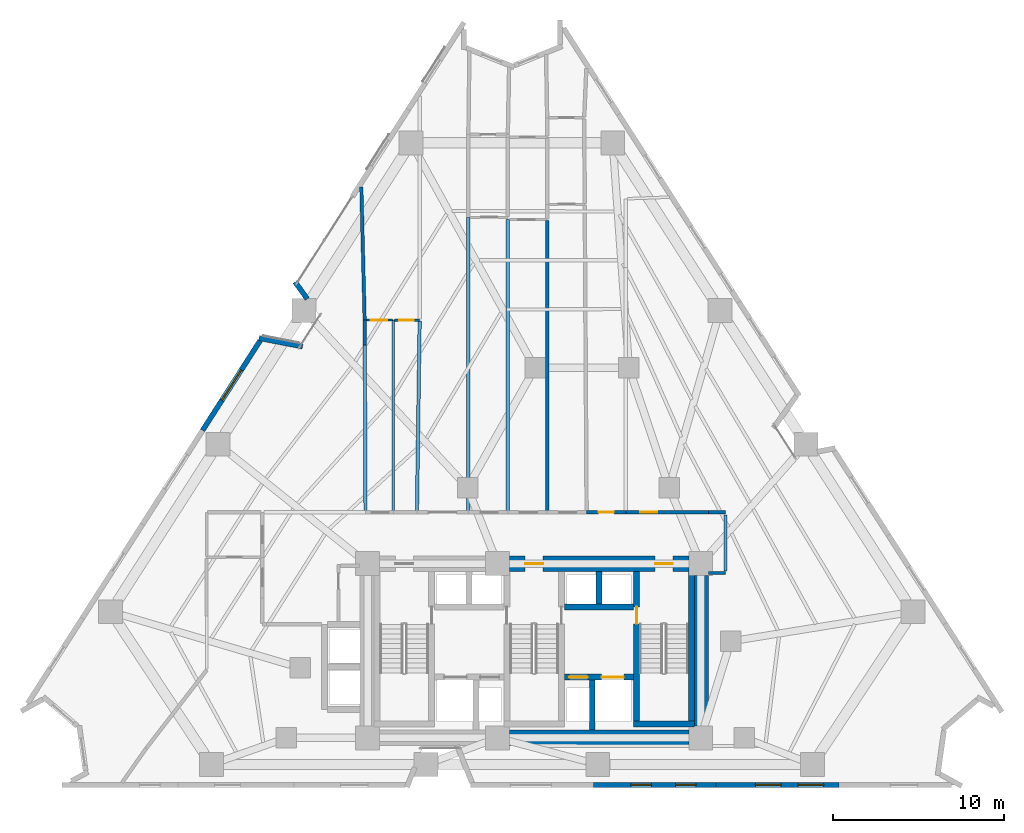
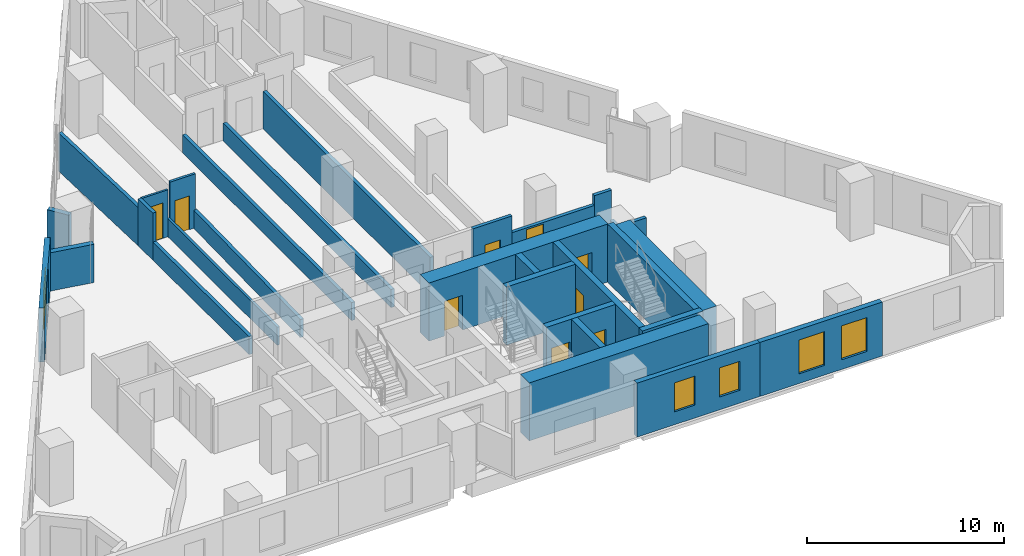
# One storey, part 9 of 13: 30 walls, 9 doors, 5 windows, 14 openings.
"""IFC4 building model written with IfcOpenShell, lengths in metres."""

from ifc_helpers import new_model, si_unit, direction, frame, frame_2d, origin, place, context, subcontext, project, spatial, rectangle, extrude, material, layer, layer_set, type_object, element, fill, save


model = new_model("IFC4")

# Units and contexts
model_context = context("Model", 3, precision=1e-05, world=origin(), true_north=direction((0.0, 1.0)))
body_context = subcontext(model_context, "Body", "Model", "MODEL_VIEW")
ifc_project = project(units=[si_unit("LENGTHUNIT", "METRE"), si_unit("AREAUNIT", "SQUARE_METRE"), si_unit("VOLUMEUNIT", "CUBIC_METRE"), si_unit("PLANEANGLEUNIT", "RADIAN"), si_unit("MASSUNIT", "GRAM", prefix="KILO")], contexts=[model_context])

# Site, building, storey
site_placement = place(None, origin())
site = spatial("IfcSite", under=ifc_project, at=site_placement, CompositionType="ELEMENT")
building_placement = place(site_placement, origin())
building = spatial("IfcBuilding", under=site, at=building_placement, Name="Almagre Mirador Tower", CompositionType="ELEMENT")
storey_placement = place(building_placement, frame((0.0, 0.0, 49.800048828125)))
storey = spatial("IfcBuildingStorey", under=building, at=storey_placement, Name="L11", CompositionType="ELEMENT", Elevation=49.800048828125)

# Walls
ifc_material_1 = material(Name="Precast concrete C50/60", Category="concrete")
ifc_layer_1 = layer(ifc_material_1, 0.300048828125)
ifc_layer_set_1 = layer_set([ifc_layer_1], Name="Precast concrete C50/60")
wall_type_1 = type_object("IfcWallType", Name="WAL-EXT-300", PredefinedType="SOLIDWALL", material=ifc_layer_set_1)
wall_1_placement = place(storey_placement, frame((21.20068359375, 27.946533203125, 0.0), z_axis=(0.0, 0.0, 1.0), x_axis=(0.981746971615, -0.190191702567, 0.0)))
element("IfcWall", 1, at=wall_1_placement, inside=storey, type_object=wall_type_1, Name="L11 expressed almagre precast frame wall 01", PredefinedType="SOLIDWALL", context=body_context, shape_type="SweptSolid", body=[
    extrude(rectangle(XDim=2.593017578125, YDim=0.300048828125, at=frame_2d((1.29638671875, 0.0))), origin(), (0.0, 0.0, 1.0), 2.375),
])
wall_2_placement = place(storey_placement, frame((24.022216796875, 30.235107421875, 0.0), z_axis=(0.0, 0.0, 1.0), x_axis=(-0.583004903736, 0.812468634607, 0.0)))
element("IfcWall", 2, at=wall_2_placement, inside=storey, type_object=wall_type_1, Name="L11 expressed almagre precast frame wall 02", PredefinedType="SOLIDWALL", context=body_context, shape_type="SweptSolid", body=[
    extrude(rectangle(XDim=1.227783203125, YDim=0.300048828125, at=frame_2d((0.61376953125, 0.0))), origin(), (0.0, 0.0, 1.0), 2.375),
])

# Wall, openings, windows
wall_3_placement = place(storey_placement, frame((55.14697265625, 1.800048828125, 0.0), z_axis=(0.0, 0.0, 1.0), x_axis=(-1.0, 0.0, 0.0)))
wall_3 = element("IfcWall", 3, at=wall_3_placement, inside=storey, type_object=wall_type_1, Name="L11 expressed almagre precast frame wall 23", PredefinedType="SOLIDWALL", context=body_context, shape_type="SweptSolid", body=[
    extrude(rectangle(XDim=7.19287109375, YDim=0.300048828125, at=frame_2d((3.596435546875, 0.0))), origin(), (0.0, 0.0, 1.0), 3.349853515625),
])
opening_1_placement = place(wall_3_placement, frame((3.39990234375, 0.0, 0.60009765625)))
opening_1 = element("IfcOpeningElement", 4, at=opening_1_placement, cuts=wall_3, Name="Opening WN-03", PredefinedType="OPENING", context=body_context, shape_type="SweptSolid", body=[
    extrude(rectangle(XDim=1.5, YDim=2.10009765625, at=frame_2d((0.75, 1.050048828125))), frame((0.0, 0.159902, 0.0), z_axis=(0.0, -1.0, 0.0), x_axis=(1.0, 0.0, 0.0)), (0.0, 0.0, 1.0), 0.320049),
])
opening_2_placement = place(wall_3_placement, frame((0.89990234375, 0.0, 0.60009765625)))
opening_2 = element("IfcOpeningElement", 5, at=opening_2_placement, cuts=wall_3, Name="Opening WN-03", PredefinedType="OPENING", context=body_context, shape_type="SweptSolid", body=[
    extrude(rectangle(XDim=1.5, YDim=2.10009765625, at=frame_2d((0.75, 1.050048828125))), frame((0.0, 0.159902, 0.0), z_axis=(0.0, -1.0, 0.0), x_axis=(1.0, 0.0, 0.0)), (0.0, 0.0, 1.0), 0.320049),
])
ifc_material_2 = material(Name="Dark solar-control laminated hurricane glass", Category="glass")
window_type_1 = type_object("IfcWindowType", Name="WIN-1500X2100", PartitioningType="DOUBLE_PANEL_VERTICAL", PredefinedType="WINDOW", material=ifc_material_2)
window_1_placement = place(opening_1_placement, origin())
window_1 = element("IfcWindow", 6, at=window_1_placement, inside=storey, type_object=window_type_1, Name="L11 recessed hurricane window L11-UD-KT", OverallHeight=2.10009765625, OverallWidth=1.5, PartitioningType="SINGLE_PANEL", PredefinedType="WINDOW", context=body_context, shape_type="SweptSolid", body=[
    extrude(rectangle(XDim=1.5, YDim=2.10009765625, at=frame_2d((0.75, 1.050048828125))), frame((0.0, 0.030029296875, 0.0), z_axis=(0.0, -1.0, 0.0), x_axis=(1.0, 0.0, 0.0)), (0.0, 0.0, 1.0), 0.06005859375),
])
fill(opening_1, window_1)
window_2_placement = place(opening_2_placement, origin())
window_2 = element("IfcWindow", 7, at=window_2_placement, inside=storey, type_object=window_type_1, Name="L11 recessed hurricane window L11-UE-KT", OverallHeight=2.10009765625, OverallWidth=1.5, PartitioningType="SINGLE_PANEL", PredefinedType="WINDOW", context=body_context, shape_type="SweptSolid", body=[
    extrude(rectangle(XDim=1.5, YDim=2.10009765625, at=frame_2d((0.75, 1.050048828125))), frame((0.0, 0.030029296875, 0.0), z_axis=(0.0, -1.0, 0.0), x_axis=(1.0, 0.0, 0.0)), (0.0, 0.0, 1.0), 0.06005859375),
])
fill(opening_2, window_2)

wall_4_placement = place(storey_placement, frame((47.9541015625, 1.800048828125, 0.0), z_axis=(0.0, 0.0, 1.0), x_axis=(-1.0, 0.0, 0.0)))
wall_4 = element("IfcWall", 8, at=wall_4_placement, inside=storey, type_object=wall_type_1, Name="L11 expressed almagre precast frame wall 24", PredefinedType="SOLIDWALL", context=body_context, shape_type="SweptSolid", body=[
    extrude(rectangle(XDim=7.193115234375, YDim=0.300048828125, at=frame_2d((3.5966796875, 0.0))), origin(), (0.0, 0.0, 1.0), 3.349853515625),
])
opening_3_placement = place(wall_4_placement, frame((3.800048828125, 0.0, 0.800048828125)))
opening_3 = element("IfcOpeningElement", 9, at=opening_3_placement, cuts=wall_4, Name="Opening WN-04", PredefinedType="OPENING", context=body_context, shape_type="SweptSolid", body=[
    extrude(rectangle(XDim=1.199951171875, YDim=1.800048828125, at=frame_2d((0.60009765625, 0.89990234375))), frame((0.0, 0.159902, 0.0), z_axis=(0.0, -1.0, 0.0), x_axis=(1.0, 0.0, 0.0)), (0.0, 0.0, 1.0), 0.320049),
])
opening_4_placement = place(wall_4_placement, frame((1.175048828125, 0.0, 0.800048828125)))
opening_4 = element("IfcOpeningElement", 10, at=opening_4_placement, cuts=wall_4, Name="Opening WN-04", PredefinedType="OPENING", context=body_context, shape_type="SweptSolid", body=[
    extrude(rectangle(XDim=1.199951171875, YDim=1.800048828125, at=frame_2d((0.60009765625, 0.89990234375))), frame((0.0, 0.159902, 0.0), z_axis=(0.0, -1.0, 0.0), x_axis=(1.0, 0.0, 0.0)), (0.0, 0.0, 1.0), 0.320049),
])
ifc_material_3 = material(Name="Dark solar-control laminated hurricane glass", Category="glass")
window_type_2 = type_object("IfcWindowType", Name="WIN-1200X1800", PartitioningType="SINGLE_PANEL", PredefinedType="WINDOW", material=ifc_material_3)
window_3_placement = place(opening_3_placement, origin())
window_3 = element("IfcWindow", 11, at=window_3_placement, inside=storey, type_object=window_type_2, Name="L11 recessed hurricane window L11-UC-KT", OverallHeight=1.800048828125, OverallWidth=1.199951171875, PartitioningType="SINGLE_PANEL", PredefinedType="WINDOW", context=body_context, shape_type="SweptSolid", body=[
    extrude(rectangle(XDim=1.199951171875, YDim=1.800048828125, at=frame_2d((0.60009765625, 0.89990234375))), frame((0.0, 0.030029296875, 0.0), z_axis=(0.0, -1.0, 0.0), x_axis=(1.0, 0.0, 0.0)), (0.0, 0.0, 1.0), 0.06005859375),
])
fill(opening_3, window_3)
window_4_placement = place(opening_4_placement, origin())
window_4 = element("IfcWindow", 12, at=window_4_placement, inside=storey, type_object=window_type_2, Name="L11 recessed hurricane window L11-UC-BT", OverallHeight=1.800048828125, OverallWidth=1.199951171875, PartitioningType="SINGLE_PANEL", PredefinedType="WINDOW", context=body_context, shape_type="SweptSolid", body=[
    extrude(rectangle(XDim=1.199951171875, YDim=1.800048828125, at=frame_2d((0.60009765625, 0.89990234375))), frame((0.0, 0.030029296875, 0.0), z_axis=(0.0, -1.0, 0.0), x_axis=(1.0, 0.0, 0.0)), (0.0, 0.0, 1.0), 0.06005859375),
])
fill(opening_4, window_4)

# Wall, opening, window
wall_5_placement = place(storey_placement, frame((17.892578125, 22.54345703125, 0.0), z_axis=(0.0, 0.0, 1.0), x_axis=(0.539539053693, 0.841960574813, 0.0)))
wall_5 = element("IfcWall", 13, at=wall_5_placement, inside=storey, type_object=wall_type_1, Name="L11 expressed almagre precast frame wall 38", PredefinedType="SOLIDWALL", context=body_context, shape_type="SweptSolid", body=[
    extrude(rectangle(XDim=6.250732421875, YDim=0.300048828125, at=frame_2d((3.12548828125, 0.0))), origin(), (0.0, 0.0, 1.0), 3.349853515625),
])
opening_5_placement = place(wall_5_placement, frame((2.10009765625, 0.0, 0.550048828125)))
opening_5 = element("IfcOpeningElement", 14, at=opening_5_placement, cuts=wall_5, Name="Opening WN-05", PredefinedType="OPENING", context=body_context, shape_type="SweptSolid", body=[
    extrude(rectangle(XDim=2.10009765625, YDim=2.39990234375, at=frame_2d((1.050048828125, 1.199951171875))), frame((0.0, 0.159902, 0.0), z_axis=(0.0, -1.0, 0.0), x_axis=(1.0, 0.0, 0.0)), (0.0, 0.0, 1.0), 0.320049),
])
ifc_material_4 = material(Name="Dark solar-control laminated hurricane glass", Category="glass")
window_type_3 = type_object("IfcWindowType", Name="WIN-2100X2400", PartitioningType="DOUBLE_PANEL_VERTICAL", PredefinedType="WINDOW", material=ifc_material_4)
window_5_placement = place(opening_5_placement, origin())
window_5 = element("IfcWindow", 15, at=window_5_placement, inside=storey, type_object=window_type_3, Name="L11 recessed hurricane window L11-RST-H", OverallHeight=2.39990234375, OverallWidth=2.10009765625, PartitioningType="SINGLE_PANEL", PredefinedType="WINDOW", context=body_context, shape_type="SweptSolid", body=[
    extrude(rectangle(XDim=2.10009765625, YDim=2.39990234375, at=frame_2d((1.050048828125, 1.199951171875))), frame((0.0, 0.030029296875, 0.0), z_axis=(0.0, -1.0, 0.0), x_axis=(1.0, 0.0, 0.0)), (0.0, 0.0, 1.0), 0.06005859375),
])
fill(opening_5, window_5)

# Wall, opening, door
ifc_material_5 = material(Name="Gypsum acoustic stud partition", Category="other")
ifc_layer_2 = layer(ifc_material_5, 0.125)
ifc_layer_set_2 = layer_set([ifc_layer_2], Name="Gypsum acoustic stud partition")
wall_type_2 = type_object("IfcWallType", Name="WAL-PRT-125-UTL", PredefinedType="PARTITIONING", material=ifc_layer_set_2)
wall_6_placement = place(storey_placement, frame((29.0, 29.0, 0.0), z_axis=(0.0, 0.0, 1.0), x_axis=(-1.0, 0.0, 0.0)))
wall_6 = element("IfcWall", 16, at=wall_6_placement, inside=storey, type_object=wall_type_2, Name="L11 interior partition 070", PredefinedType="PARTITIONING", context=body_context, shape_type="SweptSolid", body=[
    extrude(rectangle(XDim=1.534912109375, YDim=0.125, at=frame_2d((0.767578125, 0.0))), origin(), (0.0, 0.0, 1.0), 2.910888671875),
])
opening_6_placement = place(wall_6_placement, frame((0.304931640625, 0.0, 0.0)))
opening_6 = element("IfcOpeningElement", 17, at=opening_6_placement, cuts=wall_6, Name="Opening UD-01", PredefinedType="OPENING", context=body_context, shape_type="SweptSolid", body=[
    extrude(rectangle(XDim=0.949951171875, YDim=2.199951171875, at=frame_2d((0.47509765625, 1.10009765625))), frame((0.0, 0.0725, 0.0), z_axis=(0.0, -1.0, 0.0), x_axis=(1.0, 0.0, 0.0)), (0.0, 0.0, 1.0), 0.145),
])
ifc_material_6 = material(Name="Solid American walnut timber", Category="wood")
door_type_1 = type_object("IfcDoorType", Name="DOR-UNR-950X2200", OperationType="NOTDEFINED", PredefinedType="DOOR", material=ifc_material_6)
door_1_placement = place(opening_6_placement, origin())
door_1 = element("IfcDoor", 18, at=door_1_placement, inside=storey, type_object=door_type_1, Name="DR-0359 L11 interior door L11-UL-ST to L11-UL-KT", OperationType="SINGLE_SWING_RIGHT", OverallHeight=2.199951171875, OverallWidth=0.949951171875, PredefinedType="DOOR", context=body_context, shape_type="SweptSolid", body=[
    extrude(rectangle(XDim=0.949951171875, YDim=2.199951171875, at=frame_2d((0.47509765625, 1.10009765625))), frame((0.0, 0.02490234375, 0.0), z_axis=(0.0, -1.0, 0.0), x_axis=(1.0, 0.0, 0.0)), (0.0, 0.0, 1.0), 0.050048828125),
])
fill(opening_6, door_1)

# Wall
ifc_material_7 = material(Name="Gypsum acoustic stud partition", Category="other")
ifc_layer_3 = layer(ifc_material_7, 0.14990234375)
ifc_layer_set_3 = layer_set([ifc_layer_3], Name="Gypsum acoustic stud partition")
wall_type_3 = type_object("IfcWallType", Name="WAL-PRT-150-STD", PredefinedType="PARTITIONING", material=ifc_layer_set_3)
wall_7_placement = place(storey_placement, frame((29.06005859375, 17.8349609375, 0.0), z_axis=(0.0, 0.0, 1.0), x_axis=(0.0, 1.0, 0.0)))
element("IfcWall", 19, at=wall_7_placement, inside=storey, type_object=wall_type_3, Name="L11 interior partition 069", PredefinedType="PARTITIONING", context=body_context, shape_type="SweptSolid", body=[
    extrude(rectangle(XDim=11.1650390625, YDim=0.14990234375, at=frame_2d((5.58251953125, 0.0))), origin(), (0.0, 0.0, 1.0), 1.119873046875),
])

# Wall, opening, door
wall_8_placement = place(storey_placement, frame((30.60009765625, 29.0, 0.0), z_axis=(0.0, 0.0, 1.0), x_axis=(-1.0, 0.0, 0.0)))
wall_8 = element("IfcWall", 20, at=wall_8_placement, inside=storey, type_object=wall_type_3, Name="L11 interior partition 071", PredefinedType="PARTITIONING", context=body_context, shape_type="SweptSolid", body=[
    extrude(rectangle(XDim=1.47998046875, YDim=0.14990234375, at=frame_2d((0.739990234375, 0.0))), origin(), (0.0, 0.0, 1.0), 3.349853515625),
])
opening_7_placement = place(wall_8_placement, frame((0.344970703125, 0.0, 0.0)))
opening_7 = element("IfcOpeningElement", 21, at=opening_7_placement, cuts=wall_8, Name="Opening UD-04", PredefinedType="OPENING", context=body_context, shape_type="SweptSolid", body=[
    extrude(rectangle(XDim=0.85009765625, YDim=2.10009765625, at=frame_2d((0.425048828125, 1.050048828125))), frame((0.0, 0.084951, 0.0), z_axis=(0.0, -1.0, 0.0), x_axis=(1.0, 0.0, 0.0)), (0.0, 0.0, 1.0), 0.169902),
])
ifc_material_8 = material(Name="Moisture-resistant oak timber", Category="wood")
door_type_2 = type_object("IfcDoorType", Name="DOR-UNR-850X2100", OperationType="NOTDEFINED", PredefinedType="DOOR", material=ifc_material_8)
door_2_placement = place(opening_7_placement, origin())
door_2 = element("IfcDoor", 22, at=door_2_placement, inside=storey, type_object=door_type_2, Name="DR-0360 L11 interior door L11-UL-BT to L11-UL-KT", OperationType="SINGLE_SWING_LEFT", OverallHeight=2.10009765625, OverallWidth=0.85009765625, PredefinedType="DOOR", context=body_context, shape_type="SweptSolid", body=[
    extrude(rectangle(XDim=0.85009765625, YDim=2.10009765625, at=frame_2d((0.425048828125, 1.050048828125))), frame((0.0, 0.02490234375, 0.0), z_axis=(0.0, -1.0, 0.0), x_axis=(1.0, 0.0, 0.0)), (0.0, 0.0, 1.0), 0.050048828125),
])
fill(opening_7, door_2)

# Walls
ifc_material_9 = material(Name="Gypsum acoustic stud partition", Category="other")
ifc_layer_4 = layer(ifc_material_9, 0.199951171875)
ifc_layer_set_4 = layer_set([ifc_layer_4], Name="Gypsum acoustic stud partition")
wall_type_4 = type_object("IfcWallType", Name="WAL-PRT-200-EI60", PredefinedType="PARTITIONING", material=ifc_layer_set_4)
wall_9_placement = place(storey_placement, frame((47.5, 14.199951171875, 0.0), z_axis=(0.0, 0.0, 1.0), x_axis=(1.0, 0.0, 0.0)))
element("IfcWall", 23, at=wall_9_placement, inside=storey, type_object=wall_type_4, Name="L11 interior partition 004", PredefinedType="PARTITIONING", context=body_context, shape_type="SweptSolid", body=[
    extrude(rectangle(XDim=1.0, YDim=0.199951171875, at=frame_2d((0.5, 0.0))), origin(), (0.0, 0.0, 1.0), 3.349853515625),
])
wall_10_placement = place(storey_placement, frame((48.5, 17.75, 0.0), z_axis=(0.0, 0.0, 1.0), x_axis=(-1.0, 0.0, 0.0)))
element("IfcWall", 24, at=wall_10_placement, inside=storey, type_object=wall_type_4, Name="L11 interior partition 010", PredefinedType="PARTITIONING", context=body_context, shape_type="SweptSolid", body=[
    extrude(rectangle(XDim=1.010009765625, YDim=0.199951171875, at=frame_2d((0.5048828125, 0.0))), origin(), (0.0, 0.0, 1.0), 2.910888671875),
])

# Wall, opening, door
wall_11_placement = place(storey_placement, frame((42.669921875, 17.75, 0.0), z_axis=(0.0, 0.0, 1.0), x_axis=(-1.0, 0.0, 0.0)))
wall_11 = element("IfcWall", 25, at=wall_11_placement, inside=storey, type_object=wall_type_4, Name="L11 interior partition 017", PredefinedType="PARTITIONING", context=body_context, shape_type="SweptSolid", body=[
    extrude(rectangle(XDim=2.2998046875, YDim=0.199951171875, at=frame_2d((1.14990234375, 0.0))), origin(), (0.0, 0.0, 1.0), 3.349853515625),
])
opening_8_placement = place(wall_11_placement, frame((0.699951171875, 0.0, 0.0)))
opening_8 = element("IfcOpeningElement", 26, at=opening_8_placement, cuts=wall_11, Name="Opening ID-03", PredefinedType="OPENING", context=body_context, shape_type="SweptSolid", body=[
    extrude(rectangle(XDim=0.89990234375, YDim=2.10009765625, at=frame_2d((0.449951171875, 1.050048828125))), frame((0.0, 0.110098, 0.0), z_axis=(0.0, -1.0, 0.0), x_axis=(1.0, 0.0, 0.0)), (0.0, 0.0, 1.0), 0.219951),
])
ifc_material_10 = material(Name="Fire-rated hollow steel", Category="steel")
door_type_3 = type_object("IfcDoorType", Name="DOR-FD60-900X2100", OperationType="NOTDEFINED", PredefinedType="DOOR", material=ifc_material_10)
door_3_placement = place(opening_8_placement, origin())
door_3 = element("IfcDoor", 27, at=door_3_placement, inside=storey, type_object=door_type_3, Name="DR-0350 L11 interior door L11-RCOR to L11-RST-B", OperationType="SINGLE_SWING_RIGHT", OverallHeight=2.10009765625, OverallWidth=0.89990234375, PredefinedType="DOOR", context=body_context, shape_type="SweptSolid", body=[
    extrude(rectangle(XDim=0.89990234375, YDim=2.10009765625, at=frame_2d((0.449951171875, 1.050048828125))), frame((0.0, 0.02490234375, 0.0), z_axis=(0.0, -1.0, 0.0), x_axis=(1.0, 0.0, 0.0)), (0.0, 0.0, 1.0), 0.050048828125),
])
fill(opening_8, door_3)

wall_12_placement = place(storey_placement, frame((47.489990234375, 17.75, 0.0), z_axis=(0.0, 0.0, 1.0), x_axis=(-1.0, 0.0, 0.0)))
wall_12 = element("IfcWall", 28, at=wall_12_placement, inside=storey, type_object=wall_type_4, Name="L11 interior partition 018", PredefinedType="PARTITIONING", context=body_context, shape_type="SweptSolid", body=[
    extrude(rectangle(XDim=4.820068359375, YDim=0.199951171875, at=frame_2d((2.41015625, 0.0))), origin(), (0.0, 0.0, 1.0), 2.308837890625),
])
opening_9_placement = place(wall_12_placement, frame((2.971923828125, 0.0, 0.0)))
opening_9 = element("IfcOpeningElement", 29, at=opening_9_placement, cuts=wall_12, Name="Opening ID-01", PredefinedType="OPENING", context=body_context, shape_type="SweptSolid", body=[
    extrude(rectangle(XDim=1.0, YDim=2.199951171875, at=frame_2d((0.5, 1.10009765625))), frame((0.0, 0.110098, 0.0), z_axis=(0.0, -1.0, 0.0), x_axis=(1.0, 0.0, 0.0)), (0.0, 0.0, 1.0), 0.219951),
])
ifc_material_11 = material(Name="Fire-rated walnut timber", Category="wood")
door_type_4 = type_object("IfcDoorType", Name="DOR-FD60-1000X2200", OperationType="NOTDEFINED", PredefinedType="DOOR", material=ifc_material_11)
door_4_placement = place(opening_9_placement, origin())
door_4 = element("IfcDoor", 30, at=door_4_placement, inside=storey, type_object=door_type_4, Name="DR-0355 L11 interior door L11-RCOR to L11-UC-ST-2", OperationType="SINGLE_SWING_LEFT", OverallHeight=2.199951171875, OverallWidth=1.0, PredefinedType="DOOR", context=body_context, shape_type="SweptSolid", body=[
    extrude(rectangle(XDim=1.0, YDim=2.199951171875, at=frame_2d((0.5, 1.10009765625))), frame((0.0, 0.02490234375, 0.0), z_axis=(0.0, -1.0, 0.0), x_axis=(1.0, 0.0, 0.0)), (0.0, 0.0, 1.0), 0.050048828125),
])
fill(opening_9, door_4)

# Walls
wall_13_placement = place(storey_placement, frame((27.4296875, 17.8349609375, 0.0), z_axis=(0.0, 0.0, 1.0), x_axis=(-0.004104621563, 0.999991576005, 0.0)))
element("IfcWall", 31, at=wall_13_placement, inside=storey, type_object=wall_type_4, Name="L11 interior partition 059", PredefinedType="PARTITIONING", context=body_context, shape_type="SweptSolid", body=[
    extrude(rectangle(XDim=9.695068359375, YDim=0.199951171875, at=frame_2d((4.84765625, 0.0))), origin(), (0.0, 0.0, 1.0), 1.119873046875),
])
wall_14_placement = place(storey_placement, frame((27.389892578125, 27.530029296875, 0.0), z_axis=(0.0, 0.0, 1.0), x_axis=(-0.006809342213, 0.999976816161, 0.0)))
element("IfcWall", 32, at=wall_14_placement, inside=storey, type_object=wall_type_4, Name="L11 interior partition 067", PredefinedType="PARTITIONING", context=body_context, shape_type="SweptSolid", body=[
    extrude(rectangle(XDim=1.469970703125, YDim=0.199951171875, at=frame_2d((0.73486328125, 0.0))), origin(), (0.0, 0.0, 1.0), 2.910888671875),
])
wall_15_placement = place(storey_placement, frame((27.3798828125, 29.0, 0.0), z_axis=(0.0, 0.0, 1.0), x_axis=(-0.024786030679, 0.999692779149, 0.0)))
element("IfcWall", 33, at=wall_15_placement, inside=storey, type_object=wall_type_4, Name="L11 interior partition 068", PredefinedType="PARTITIONING", context=body_context, shape_type="SweptSolid", body=[
    extrude(rectangle(XDim=7.781494140625, YDim=0.199951171875, at=frame_2d((3.890625, 0.0))), origin(), (0.0, 0.0, 1.0), 2.369873046875),
])
wall_16_placement = place(storey_placement, frame((30.441162109375, 17.8349609375, 0.0), z_axis=(0.0, 0.0, 1.0), x_axis=(0.014222718139, 0.999898852029, 0.0)))
element("IfcWall", 34, at=wall_16_placement, inside=storey, type_object=wall_type_4, Name="L11 interior partition 072", PredefinedType="PARTITIONING", context=body_context, shape_type="SweptSolid", body=[
    extrude(rectangle(XDim=11.106201171875, YDim=0.199951171875, at=frame_2d((5.55322265625, 0.0))), origin(), (0.0, 0.0, 1.0), 1.119873046875),
])
wall_17_placement = place(storey_placement, frame((33.449951171875, 17.8349609375, 0.0), z_axis=(0.0, 0.0, 1.0), x_axis=(0.0, 1.0, 0.0)))
element("IfcWall", 35, at=wall_17_placement, inside=storey, type_object=wall_type_4, Name="L11 interior partition 074", PredefinedType="PARTITIONING", context=body_context, shape_type="SweptSolid", body=[
    extrude(rectangle(XDim=17.175048828125, YDim=0.199951171875, at=frame_2d((8.58740234375, 0.0))), origin(), (0.0, 0.0, 1.0), 1.119873046875),
])
wall_18_placement = place(storey_placement, frame((35.760009765625, 17.8349609375, 0.0), z_axis=(0.0, 0.0, 1.0), x_axis=(0.0, 1.0, 0.0)))
element("IfcWall", 36, at=wall_18_placement, inside=storey, type_object=wall_type_4, Name="L11 interior partition 078", PredefinedType="PARTITIONING", context=body_context, shape_type="SweptSolid", body=[
    extrude(rectangle(XDim=17.044921875, YDim=0.199951171875, at=frame_2d((8.5224609375, 0.0))), origin(), (0.0, 0.0, 1.0), 1.119873046875),
])
wall_19_placement = place(storey_placement, frame((38.06005859375, 17.8349609375, 0.0), z_axis=(0.0, 0.0, 1.0), x_axis=(0.0, 1.0, 0.0)))
element("IfcWall", 37, at=wall_19_placement, inside=storey, type_object=wall_type_4, Name="L11 interior partition 084", PredefinedType="PARTITIONING", context=body_context, shape_type="SweptSolid", body=[
    extrude(rectangle(XDim=16.99755859375, YDim=0.199951171875, at=frame_2d((8.498779296875, 0.0))), origin(), (0.0, 0.0, 1.0), 2.308837890625),
])
wall_20_placement = place(storey_placement, frame((48.5, 14.320068359375, 0.0), z_axis=(0.0, 0.0, 1.0), x_axis=(0.0, 1.0, 0.0)))
element("IfcWall", 38, at=wall_20_placement, inside=storey, type_object=wall_type_4, Name="L11 interior partition 101", PredefinedType="PARTITIONING", context=body_context, shape_type="SweptSolid", body=[
    extrude(rectangle(XDim=3.280029296875, YDim=0.199951171875, at=frame_2d((1.64013671875, 0.0))), origin(), (0.0, 0.0, 1.0), 1.119873046875),
])

# Wall, opening, door
ifc_material_12 = material(Name="Concrete C60/75", Category="concrete")
ifc_layer_5 = layer(ifc_material_12, 0.35009765625)
ifc_layer_set_5 = layer_set([ifc_layer_5], Name="Concrete C60/75")
wall_type_5 = type_object("IfcWallType", Name="WAL-SHF-350", PredefinedType="SOLIDWALL", material=ifc_layer_set_5)
wall_21_placement = place(storey_placement, frame((43.300048828125, 5.199951171875, 0.0), z_axis=(0.0, 0.0, 1.0), x_axis=(0.0, 1.0, 0.0)))
wall_21 = element("IfcWall", 39, at=wall_21_placement, inside=storey, type_object=wall_type_5, Name="L11 shaft wall ST3-W", PredefinedType="SOLIDWALL", context=body_context, shape_type="SweptSolid", body=[
    extrude(rectangle(XDim=9.10009765625, YDim=0.35009765625, at=frame_2d((4.550048828125, 0.0))), origin(), (0.0, 0.0, 1.0), 3.599853515625),
])
opening_10_placement = place(wall_21_placement, frame((6.02001953125, 0.0, 0.0)))
opening_10 = element("IfcOpeningElement", 40, at=opening_10_placement, cuts=wall_21, Name="Opening FD-01", PredefinedType="OPENING", context=body_context, shape_type="SweptSolid", body=[
    extrude(rectangle(XDim=1.0, YDim=2.14990234375, at=frame_2d((0.5, 1.074951171875))), frame((0.0, 0.185049, 0.0), z_axis=(0.0, -1.0, 0.0), x_axis=(1.0, 0.0, 0.0)), (0.0, 0.0, 1.0), 0.370098),
])
ifc_material_13 = material(Name="Fire-rated hollow steel", Category="steel")
door_type_5 = type_object("IfcDoorType", Name="DOR-FFL-1000X2150", OperationType="NOTDEFINED", PredefinedType="DOOR", material=ifc_material_13)
door_5_placement = place(opening_10_placement, origin())
door_5 = element("IfcDoor", 41, at=door_5_placement, inside=storey, type_object=door_type_5, Name="DR-0349 L11 FFL2-ST3 smokeproof door", OperationType="SINGLE_SWING_RIGHT", OverallHeight=2.14990234375, OverallWidth=1.0, PredefinedType="DOOR", context=body_context, shape_type="SweptSolid", body=[
    extrude(rectangle(XDim=1.0, YDim=2.14990234375, at=frame_2d((0.5, 1.074951171875))), frame((0.0, 0.02490234375, 0.0), z_axis=(0.0, -1.0, 0.0), x_axis=(1.0, 0.0, 0.0)), (0.0, 0.0, 1.0), 0.050048828125),
])
fill(opening_10, door_5)

# Walls
wall_22_placement = place(storey_placement, frame((46.5, 5.199951171875, 0.0), z_axis=(0.0, 0.0, 1.0), x_axis=(0.0, 1.0, 0.0)))
element("IfcWall", 42, at=wall_22_placement, inside=storey, type_object=wall_type_5, Name="L11 shaft wall ST3-E", PredefinedType="SOLIDWALL", context=body_context, shape_type="SweptSolid", body=[
    extrude(rectangle(XDim=9.10009765625, YDim=0.35009765625, at=frame_2d((4.550048828125, 0.0))), origin(), (0.0, 0.0, 1.0), 3.599853515625),
])
wall_23_placement = place(storey_placement, frame((43.125, 5.375, 0.0), z_axis=(0.0, 0.0, 1.0), x_axis=(1.0, 0.0, 0.0)))
element("IfcWall", 43, at=wall_23_placement, inside=storey, type_object=wall_type_5, Name="L11 shaft wall ST3-S", PredefinedType="SOLIDWALL", context=body_context, shape_type="SweptSolid", body=[
    extrude(rectangle(XDim=3.550048828125, YDim=0.35009765625, at=frame_2d((1.77490234375, 0.0))), origin(), (0.0, 0.0, 1.0), 3.599853515625),
])

# Wall, openings, doors
wall_24_placement = place(storey_placement, frame((39.074951171875, 8.10009765625, 0.0), z_axis=(0.0, 0.0, 1.0), x_axis=(1.0, 0.0, 0.0)))
wall_24 = element("IfcWall", 44, at=wall_24_placement, inside=storey, type_object=wall_type_5, Name="L11 shaft wall FSAE2-N", PredefinedType="SOLIDWALL", context=body_context, shape_type="SweptSolid", body=[
    extrude(rectangle(XDim=4.050048828125, YDim=0.35009765625, at=frame_2d((2.02490234375, 0.0))), origin(), (0.0, 0.0, 1.0), 3.599853515625),
])
opening_11_placement = place(wall_24_placement, frame((2.175048828125, 0.0, 0.0)))
opening_11 = element("IfcOpeningElement", 45, at=opening_11_placement, cuts=wall_24, Name="Opening LD-03", PredefinedType="OPENING", context=body_context, shape_type="SweptSolid", body=[
    extrude(rectangle(XDim=1.300048828125, YDim=2.25, at=frame_2d((0.64990234375, 1.125))), frame((0.0, 0.185049, 0.0), z_axis=(0.0, -1.0, 0.0), x_axis=(1.0, 0.0, 0.0)), (0.0, 0.0, 1.0), 0.370098),
])
opening_12_placement = place(wall_24_placement, frame((0.27490234375, 0.0, 0.0)))
opening_12 = element("IfcOpeningElement", 46, at=opening_12_placement, cuts=wall_24, Name="Opening LD-01", PredefinedType="OPENING", context=body_context, shape_type="SweptSolid", body=[
    extrude(rectangle(XDim=1.10009765625, YDim=2.199951171875, at=frame_2d((0.550048828125, 1.10009765625))), frame((0.0, 0.185049, 0.0), z_axis=(0.0, -1.0, 0.0), x_axis=(1.0, 0.0, 0.0)), (0.0, 0.0, 1.0), 0.370098),
])
ifc_material_14 = material(Name="Hollow stainless steel", Category="steel")
door_type_6 = type_object("IfcDoorType", Name="DOR-LD-1100X2200", OperationType="DOUBLE_DOOR_SLIDING", PredefinedType="DOOR", material=ifc_material_14)
door_6_placement = place(opening_12_placement, origin())
door_6 = element("IfcDoor", 47, at=door_6_placement, inside=storey, type_object=door_type_6, Name="DR-0371 L11 PL-L2 lift landing door", OperationType="DOUBLE_DOOR_SLIDING", OverallHeight=2.199951171875, OverallWidth=1.10009765625, PredefinedType="DOOR", context=body_context, shape_type="SweptSolid", body=[
    extrude(rectangle(XDim=1.10009765625, YDim=2.199951171875, at=frame_2d((0.550048828125, 1.10009765625))), frame((0.0, 0.02490234375, 0.0), z_axis=(0.0, -1.0, 0.0), x_axis=(1.0, 0.0, 0.0)), (0.0, 0.0, 1.0), 0.050048828125),
])
fill(opening_12, door_6)
ifc_material_15 = material(Name="Hollow stainless steel", Category="steel")
door_type_7 = type_object("IfcDoorType", Name="DOR-LD-1300X2250", OperationType="DOUBLE_DOOR_SLIDING", PredefinedType="DOOR", material=ifc_material_15)
door_7_placement = place(opening_11_placement, origin())
door_7 = element("IfcDoor", 48, at=door_7_placement, inside=storey, type_object=door_type_7, Name="DR-0369 L11 FSAE-2 lift landing door", OperationType="DOUBLE_DOOR_SLIDING", OverallHeight=2.25, OverallWidth=1.300048828125, PredefinedType="DOOR", context=body_context, shape_type="SweptSolid", body=[
    extrude(rectangle(XDim=1.300048828125, YDim=2.25, at=frame_2d((0.64990234375, 1.125))), frame((0.0, 0.02490234375, 0.0), z_axis=(0.0, -1.0, 0.0), x_axis=(1.0, 0.0, 0.0)), (0.0, 0.0, 1.0), 0.050048828125),
])
fill(opening_11, door_7)

# Walls
wall_25_placement = place(storey_placement, frame((40.699951171875, 5.0, 0.0), z_axis=(0.0, 0.0, 1.0), x_axis=(0.0, 1.0, 0.0)))
element("IfcWall", 49, at=wall_25_placement, inside=storey, type_object=wall_type_5, Name="L11 shaft wall FSAE2-W", PredefinedType="SOLIDWALL", context=body_context, shape_type="SweptSolid", body=[
    extrude(rectangle(XDim=2.925048828125, YDim=0.35009765625, at=frame_2d((1.46240234375, 0.0))), origin(), (0.0, 0.0, 1.0), 3.599853515625),
])
wall_26_placement = place(storey_placement, frame((39.074951171875, 12.199951171875, 0.0), z_axis=(0.0, 0.0, 1.0), x_axis=(1.0, 0.0, 0.0)))
element("IfcWall", 50, at=wall_26_placement, inside=storey, type_object=wall_type_5, Name="L11 shaft wall PLH-S", PredefinedType="SOLIDWALL", context=body_context, shape_type="SweptSolid", body=[
    extrude(rectangle(XDim=4.050048828125, YDim=0.35009765625, at=frame_2d((2.02490234375, 0.0))), origin(), (0.0, 0.0, 1.0), 3.599853515625),
])
wall_27_placement = place(storey_placement, frame((41.10009765625, 12.375, 0.0), z_axis=(0.0, 0.0, 1.0), x_axis=(0.0, 1.0, 0.0)))
element("IfcWall", 51, at=wall_27_placement, inside=storey, type_object=wall_type_5, Name="L11 shaft wall PLH-M", PredefinedType="SOLIDWALL", context=body_context, shape_type="SweptSolid", body=[
    extrude(rectangle(XDim=1.925048828125, YDim=0.35009765625, at=frame_2d((0.96240234375, 0.0))), origin(), (0.0, 0.0, 1.0), 3.599853515625),
])
ifc_material_16 = material(Name="Concrete C70/85", Category="concrete")
ifc_layer_6 = layer(ifc_material_16, 0.89990234375)
ifc_layer_set_6 = layer_set([ifc_layer_6], Name="Concrete C70/85")
wall_type_6 = type_object("IfcWallType", Name="WAL-SHR-900", PredefinedType="SHEAR", material=ifc_layer_set_6)
wall_28_placement = place(storey_placement, frame((35.85009765625, 4.550048828125, 0.0), z_axis=(0.0, 0.0, 1.0), x_axis=(1.0, 0.0, 0.0)))
element("IfcWall", 52, at=wall_28_placement, inside=storey, type_object=wall_type_6, Name="L11 core shear wall S2", PredefinedType="SHEAR", context=body_context, shape_type="SweptSolid", body=[
    extrude(rectangle(XDim=10.5, YDim=0.89990234375, at=frame_2d((5.25, 0.0))), origin(), (0.0, 0.0, 1.0), 3.599853515625),
])

# Wall, openings, doors
wall_29_placement = place(storey_placement, frame((35.85009765625, 14.75, 0.0), z_axis=(0.0, 0.0, 1.0), x_axis=(1.0, 0.0, 0.0)))
wall_29 = element("IfcWall", 53, at=wall_29_placement, inside=storey, type_object=wall_type_6, Name="L11 core shear wall N2", PredefinedType="SHEAR", context=body_context, shape_type="SweptSolid", body=[
    extrude(rectangle(XDim=10.5, YDim=0.89990234375, at=frame_2d((5.25, 0.0))), origin(), (0.0, 0.0, 1.0), 3.599853515625),
])
opening_13_placement = place(wall_29_placement, frame((0.925048828125, 0.0, 0.0)))
opening_13 = element("IfcOpeningElement", 54, at=opening_13_placement, cuts=wall_29, Name="Opening SD-01", PredefinedType="OPENING", context=body_context, shape_type="SweptSolid", body=[
    extrude(rectangle(XDim=1.050048828125, YDim=2.14990234375, at=frame_2d((0.52490234375, 1.074951171875))), frame((0.0, 0.459951, 0.0), z_axis=(0.0, -1.0, 0.0), x_axis=(1.0, 0.0, 0.0)), (0.0, 0.0, 1.0), 0.919902),
])
opening_14_placement = place(wall_29_placement, frame((8.52490234375, 0.0, 0.0)))
opening_14 = element("IfcOpeningElement", 55, at=opening_14_placement, cuts=wall_29, Name="Opening SD-01", PredefinedType="OPENING", context=body_context, shape_type="SweptSolid", body=[
    extrude(rectangle(XDim=1.050048828125, YDim=2.14990234375, at=frame_2d((0.52490234375, 1.074951171875))), frame((0.0, 0.459951, 0.0), z_axis=(0.0, -1.0, 0.0), x_axis=(1.0, 0.0, 0.0)), (0.0, 0.0, 1.0), 0.919902),
])
ifc_material_17 = material(Name="Fire-rated hollow steel", Category="steel")
door_type_8 = type_object("IfcDoorType", Name="DOR-ST-1050X2150", OperationType="NOTDEFINED", PredefinedType="DOOR", material=ifc_material_17)
door_8_placement = place(opening_13_placement, origin())
door_8 = element("IfcDoor", 56, at=door_8_placement, inside=storey, type_object=door_type_8, Name="DR-0373 L11 protected exit stair ST-2 door", OperationType="SINGLE_SWING_RIGHT", OverallHeight=2.14990234375, OverallWidth=1.050048828125, PredefinedType="DOOR", context=body_context, shape_type="SweptSolid", body=[
    extrude(rectangle(XDim=1.050048828125, YDim=2.14990234375, at=frame_2d((0.52490234375, 1.074951171875))), frame((0.0, 0.02490234375, 0.0), z_axis=(0.0, -1.0, 0.0), x_axis=(1.0, 0.0, 0.0)), (0.0, 0.0, 1.0), 0.050048828125),
])
fill(opening_13, door_8)
door_9_placement = place(opening_14_placement, origin())
door_9 = element("IfcDoor", 57, at=door_9_placement, inside=storey, type_object=door_type_8, Name="DR-0374 L11 protected exit stair ST-3 door", OperationType="SINGLE_SWING_LEFT", OverallHeight=2.14990234375, OverallWidth=1.050048828125, PredefinedType="DOOR", context=body_context, shape_type="SweptSolid", body=[
    extrude(rectangle(XDim=1.050048828125, YDim=2.14990234375, at=frame_2d((0.52490234375, 1.074951171875))), frame((0.0, 0.02490234375, 0.0), z_axis=(0.0, -1.0, 0.0), x_axis=(1.0, 0.0, 0.0)), (0.0, 0.0, 1.0), 0.050048828125),
])
fill(opening_14, door_9)

# Wall
wall_30_placement = place(storey_placement, frame((47.050048828125, 5.25, 0.0), z_axis=(0.0, 0.0, 1.0), x_axis=(0.0, 1.0, 0.0)))
element("IfcWall", 58, at=wall_30_placement, inside=storey, type_object=wall_type_6, Name="L11 core shear wall E1", PredefinedType="SHEAR", context=body_context, shape_type="SweptSolid", body=[
    extrude(rectangle(XDim=8.800048828125, YDim=0.89990234375, at=frame_2d((4.39990234375, 0.0))), origin(), (0.0, 0.0, 1.0), 3.599853515625),
])

save(model, "model.ifc")
